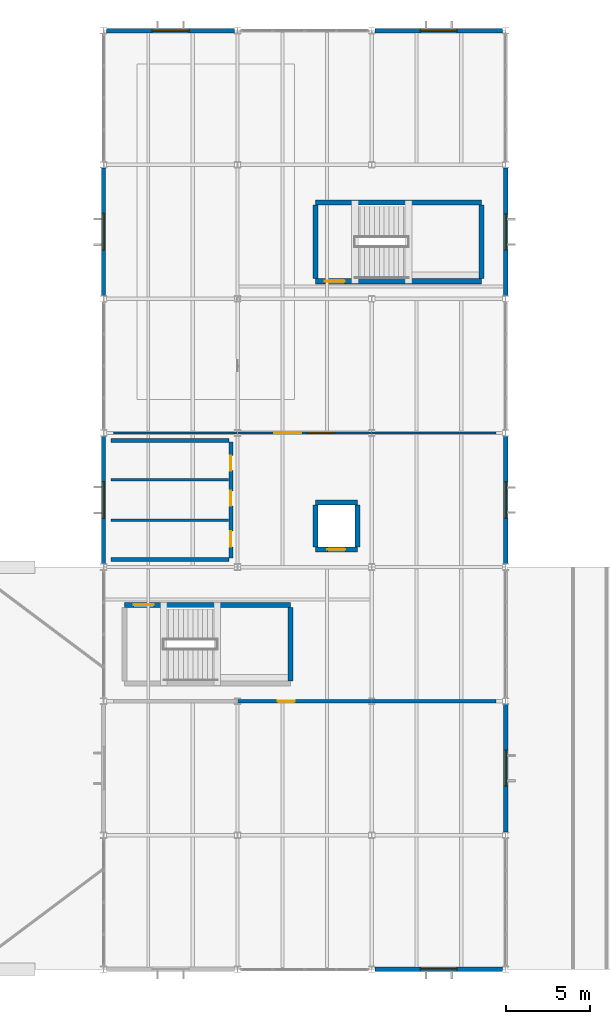
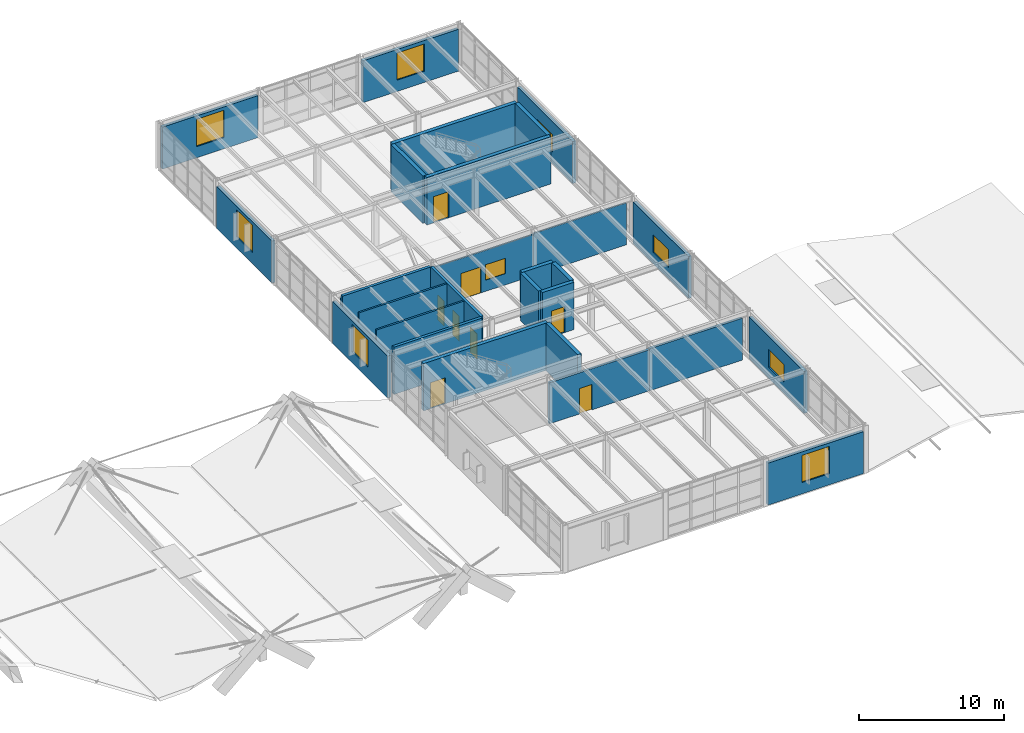
# One storey, part 45 of 50: 28 walls, 9 windows, 8 doors, 17 openings.
"""IFC4 building model written with IfcOpenShell, lengths in metres."""

from ifc_helpers import new_model, si_unit, direction, frame, frame_2d, origin, place, context, subcontext, project, spatial, rectangle, extrude, material, layer, layer_set, type_object, element, fill, save


model = new_model("IFC4")

# Units and contexts
model_context = context("Model", 3, precision=1e-05, world=origin(), true_north=direction((0.0, 1.0)))
body_context = subcontext(model_context, "Body", "Model", "MODEL_VIEW")
ifc_project = project(units=[si_unit("LENGTHUNIT", "METRE"), si_unit("AREAUNIT", "SQUARE_METRE"), si_unit("VOLUMEUNIT", "CUBIC_METRE"), si_unit("PLANEANGLEUNIT", "RADIAN"), si_unit("MASSUNIT", "GRAM", prefix="KILO")], contexts=[model_context])

# Site, building, storey
site_placement = place(None, origin())
site = spatial("IfcSite", under=ifc_project, at=site_placement, CompositionType="ELEMENT")
building_placement = place(site_placement, origin())
building = spatial("IfcBuilding", under=site, at=building_placement, Name="Varnela Railside Interchange", CompositionType="ELEMENT")
storey_placement = place(building_placement, frame((0.0, 0.0, 15.39990234375)))
storey = spatial("IfcBuildingStorey", under=building, at=storey_placement, Name="L03", CompositionType="ELEMENT", Elevation=15.39990234375)

# Walls
ifc_material_1 = material(Name="Gypsum acoustic board")
ifc_layer_1 = layer(ifc_material_1, 0.14990234375)
ifc_layer_set_1 = layer_set([ifc_layer_1], Name="Gypsum acoustic board")
wall_type_1 = type_object("IfcWallType", Name="Acoustic Drywall Partition IW-01", PredefinedType="PARTITIONING", material=ifc_layer_set_1)
for number, where, z_axis, x_axis, name in (
    (1, (116.449951171875, 64.800048828125, 0.0), (0.0, 0.0, 1.0), (1.0, 0.0, 0.0), "Acoustic Drywall Partition IW-01 (L03) (WL-0813)"),
    (2, (116.449951171875, 67.199951171875, 0.0), (0.0, 0.0, 1.0), (1.0, 0.0, 0.0), "Acoustic Drywall Partition IW-01 (L03) (WL-0814)"),
):
    element("IfcWall", number, at=place(storey_placement, frame(where, z_axis=z_axis, x_axis=x_axis)), inside=storey, type_object=wall_type_1, Name=name, PredefinedType="PARTITIONING", context=body_context, shape_type="SweptSolid", body=[
        extrude(rectangle(XDim=7.0, YDim=0.14990234375, at=frame_2d((3.5, 0.0))), origin(), (0.0, 0.0, 1.0), 4.0),
    ])

# Wall, opening, door
ifc_material_2 = material(Name="Concrete C40", Category="concrete")
ifc_layer_2 = layer(ifc_material_2, 0.199951171875)
ifc_layer_set_2 = layer_set([ifc_layer_2], Name="Concrete C40")
wall_type_2 = type_object("IfcWallType", Name="Fire Compartment Wall EI60 FW-01", PredefinedType="SOLIDWALL", material=ifc_layer_set_2)
wall_1_placement = place(storey_placement, frame((124.0, 54.0, 0.0), z_axis=(0.0, 0.0, 1.0), x_axis=(1.0, 0.0, 0.0)))
wall_1 = element("IfcWall", 3, at=wall_1_placement, inside=storey, type_object=wall_type_2, Name="Fire Compartment Wall EI60 FW-01 (L03) (WL-0810)", PredefinedType="SOLIDWALL", context=body_context, shape_type="SweptSolid", body=[
    extrude(rectangle(XDim=8.0, YDim=0.199951171875, at=frame_2d((4.0, 0.0))), origin(), (0.0, 0.0, 1.0), 3.467041015625),
])
opening_1_placement = place(wall_1_placement, frame((2.39990234375, 0.0, 0.0)))
opening_1 = element("IfcOpeningElement", 4, at=opening_1_placement, cuts=wall_1, Name="Opening D-253", PredefinedType="OPENING", context=body_context, shape_type="SweptSolid", body=[
    extrude(rectangle(XDim=1.0, YDim=2.14990234375, at=frame_2d((0.5, 1.074951171875))), frame((0.0, 0.10986328125, 0.0), z_axis=(0.0, -1.0, 0.0), x_axis=(1.0, 0.0, 0.0)), (0.0, 0.0, 1.0), 0.219970703125),
])
ifc_material_3 = material(Name="Steel AR 350 (350 MPa)", Category="steel")
door_type_1 = type_object("IfcDoorType", Name="DR-SGL-1000-FD60", OperationType="NOTDEFINED", PredefinedType="DOOR", material=ifc_material_3)
door_1_placement = place(opening_1_placement, origin())
door_1 = element("IfcDoor", 5, at=door_1_placement, inside=storey, type_object=door_type_1, Name="Door D-253", OperationType="SINGLE_SWING_RIGHT", OverallHeight=2.14990234375, OverallWidth=1.0, PredefinedType="DOOR", context=body_context, shape_type="SweptSolid", body=[
    extrude(rectangle(XDim=1.0, YDim=2.14990234375, at=frame_2d((0.5, 1.074951171875))), frame((0.0, 0.02490234375, 0.0), z_axis=(0.0, -1.0, 0.0), x_axis=(1.0, 0.0, 0.0)), (0.0, 0.0, 1.0), 0.050048828125),
])
fill(opening_1, door_1)

# Walls
wall_2_placement = place(storey_placement, frame((132.0, 54.0, 0.0), z_axis=(0.0, 0.0, 1.0), x_axis=(1.0, 0.0, 0.0)))
element("IfcWall", 6, at=wall_2_placement, inside=storey, type_object=wall_type_2, Name="Fire Compartment Wall EI60 FW-01 (L03) (WL-0811)", PredefinedType="SOLIDWALL", context=body_context, shape_type="SweptSolid", body=[
    extrude(rectangle(XDim=7.39990234375, YDim=0.199951171875, at=frame_2d((3.699951171875, 0.0))), origin(), (0.0, 0.0, 1.0), 3.5400390625),
])
ifc_material_4 = material(Name="Glass laminated double", Category="glass")
ifc_layer_3 = layer(ifc_material_4, 0.1201171875)
ifc_layer_set_3 = layer_set([ifc_layer_3], Name="Glass laminated double")
wall_type_3 = type_object("IfcWallType", Name="Glazed Operations Partition IW-03", PredefinedType="PARTITIONING", material=ifc_layer_set_3)
wall_3_placement = place(storey_placement, frame((116.60009765625, 70.0, 0.0), z_axis=(0.0, 0.0, 1.0), x_axis=(1.0, 0.0, 0.0)))
element("IfcWall", 7, at=wall_3_placement, inside=storey, type_object=wall_type_3, Name="Glazed Operations Partition IW-03 (L03) (WL-0818)", PredefinedType="PARTITIONING", context=body_context, shape_type="SweptSolid", body=[
    extrude(rectangle(XDim=7.39990234375, YDim=0.1201171875, at=frame_2d((3.699951171875, 0.0))), origin(), (0.0, 0.0, 1.0), 3.5400390625),
])

# Wall, openings, door, window
wall_4_placement = place(storey_placement, frame((124.0, 70.0, 0.0), z_axis=(0.0, 0.0, 1.0), x_axis=(1.0, 0.0, 0.0)))
wall_4 = element("IfcWall", 8, at=wall_4_placement, inside=storey, type_object=wall_type_3, Name="Glazed Operations Partition IW-03 (L03) (WL-0819)", PredefinedType="PARTITIONING", context=body_context, shape_type="SweptSolid", body=[
    extrude(rectangle(XDim=8.0, YDim=0.1201171875, at=frame_2d((4.0, 0.0))), origin(), (0.0, 0.0, 1.0), 3.467041015625),
])
opening_2_placement = place(wall_4_placement, frame((2.199951171875, 0.0, 0.0)))
opening_2 = element("IfcOpeningElement", 9, at=opening_2_placement, cuts=wall_4, Name="Opening D-252", PredefinedType="OPENING", context=body_context, shape_type="SweptSolid", body=[
    extrude(rectangle(XDim=1.60009765625, YDim=2.199951171875, at=frame_2d((0.800048828125, 1.10009765625))), frame((0.0, 0.070068359375, 0.0), z_axis=(0.0, -1.0, 0.0), x_axis=(1.0, 0.0, 0.0)), (0.0, 0.0, 1.0), 0.14013671875),
])
opening_3_placement = place(wall_4_placement, frame((4.14990234375, 0.0, 0.949951171875)))
opening_3 = element("IfcOpeningElement", 10, at=opening_3_placement, cuts=wall_4, Name="Opening IW-015", PredefinedType="OPENING", context=body_context, shape_type="SweptSolid", body=[
    extrude(rectangle(XDim=1.60009765625, YDim=1.300048828125, at=frame_2d((0.800048828125, 0.64990234375))), frame((0.0, 0.070068359375, 0.0), z_axis=(0.0, -1.0, 0.0), x_axis=(1.0, 0.0, 0.0)), (0.0, 0.0, 1.0), 0.14013671875),
])
door_type_2 = type_object("IfcDoorType", Name="DR-DBL-1600", OperationType="DOUBLE_DOOR_SINGLE_SWING", PredefinedType="DOOR", material=ifc_material_4)
door_2_placement = place(opening_2_placement, origin())
door_2 = element("IfcDoor", 11, at=door_2_placement, inside=storey, type_object=door_type_2, Name="Door D-252", OperationType="DOUBLE_DOOR_SINGLE_SWING", OverallHeight=2.199951171875, OverallWidth=1.60009765625, PredefinedType="DOOR", context=body_context, shape_type="SweptSolid", body=[
    extrude(rectangle(XDim=1.60009765625, YDim=2.199951171875, at=frame_2d((0.800048828125, 1.10009765625))), frame((0.0, 0.02490234375, 0.0), z_axis=(0.0, -1.0, 0.0), x_axis=(1.0, 0.0, 0.0)), (0.0, 0.0, 1.0), 0.050048828125),
])
fill(opening_2, door_2)
window_type_1 = type_object("IfcWindowType", Name="Interior Acoustic Vision Window IW-WN1", PartitioningType="SINGLE_PANEL", PredefinedType="WINDOW", material=ifc_material_4)
window_1_placement = place(opening_3_placement, origin())
window_1 = element("IfcWindow", 12, at=window_1_placement, inside=storey, type_object=window_type_1, Name="Window IW-015", OverallHeight=1.300048828125, OverallWidth=1.60009765625, PartitioningType="SINGLE_PANEL", PredefinedType="WINDOW", context=body_context, shape_type="SweptSolid", body=[
    extrude(rectangle(XDim=1.60009765625, YDim=1.300048828125, at=frame_2d((0.800048828125, 0.64990234375))), frame((0.0, 0.030029296875, 0.0), z_axis=(0.0, -1.0, 0.0), x_axis=(1.0, 0.0, 0.0)), (0.0, 0.0, 1.0), 0.06005859375),
])
fill(opening_3, window_1)

# Wall
wall_5_placement = place(storey_placement, frame((132.0, 70.0, 0.0), z_axis=(0.0, 0.0, 1.0), x_axis=(1.0, 0.0, 0.0)))
element("IfcWall", 13, at=wall_5_placement, inside=storey, type_object=wall_type_3, Name="Glazed Operations Partition IW-03 (L03) (WL-0820)", PredefinedType="PARTITIONING", context=body_context, shape_type="SweptSolid", body=[
    extrude(rectangle(XDim=7.39990234375, YDim=0.1201171875, at=frame_2d((3.699951171875, 0.0))), origin(), (0.0, 0.0, 1.0), 3.5400390625),
])

# Wall, openings, doors
ifc_material_5 = material(Name="Masonry concrete block", Category="masonry")
ifc_layer_4 = layer(ifc_material_5, 0.2099609375)
ifc_layer_set_4 = layer_set([ifc_layer_4], Name="Masonry concrete block")
wall_type_4 = type_object("IfcWallType", Name="Sanitary Plumbing Chase Wall IW-04", PredefinedType="PLUMBINGWALL", material=ifc_layer_set_4)
wall_6_placement = place(storey_placement, frame((123.60009765625, 62.550048828125, 0.0), z_axis=(0.0, 0.0, 1.0), x_axis=(0.0, 1.0, 0.0)))
wall_6 = element("IfcWall", 14, at=wall_6_placement, inside=storey, type_object=wall_type_4, Name="Sanitary Plumbing Chase Wall IW-04 (L03) (WL-0815)", PredefinedType="PLUMBINGWALL", context=body_context, shape_type="SweptSolid", body=[
    extrude(rectangle(XDim=6.89990234375, YDim=0.219970703125, at=frame_2d((3.449951171875, 0.0))), origin(), (0.0, 0.0, 1.0), 4.0),
])
opening_4_placement = place(wall_6_placement, frame((0.64990234375, 0.0, 0.0)))
opening_4 = element("IfcOpeningElement", 15, at=opening_4_placement, cuts=wall_6, Name="Opening D-249", PredefinedType="OPENING", context=body_context, shape_type="SweptSolid", body=[
    extrude(rectangle(XDim=0.949951171875, YDim=2.10009765625, at=frame_2d((0.47509765625, 1.050048828125))), frame((0.0, 0.119873046875, 0.0), z_axis=(0.0, -1.0, 0.0), x_axis=(1.0, 0.0, 0.0)), (0.0, 0.0, 1.0), 0.239990234375),
])
opening_5_placement = place(wall_6_placement, frame((3.10009765625, 0.0, 0.0)))
opening_5 = element("IfcOpeningElement", 16, at=opening_5_placement, cuts=wall_6, Name="Opening D-250", PredefinedType="OPENING", context=body_context, shape_type="SweptSolid", body=[
    extrude(rectangle(XDim=0.89990234375, YDim=2.10009765625, at=frame_2d((0.449951171875, 1.050048828125))), frame((0.0, 0.119873046875, 0.0), z_axis=(0.0, -1.0, 0.0), x_axis=(1.0, 0.0, 0.0)), (0.0, 0.0, 1.0), 0.239990234375),
])
opening_6_placement = place(wall_6_placement, frame((5.199951171875, 0.0, 0.0)))
opening_6 = element("IfcOpeningElement", 17, at=opening_6_placement, cuts=wall_6, Name="Opening D-251", PredefinedType="OPENING", context=body_context, shape_type="SweptSolid", body=[
    extrude(rectangle(XDim=0.89990234375, YDim=2.10009765625, at=frame_2d((0.449951171875, 1.050048828125))), frame((0.0, 0.119873046875, 0.0), z_axis=(0.0, -1.0, 0.0), x_axis=(1.0, 0.0, 0.0)), (0.0, 0.0, 1.0), 0.239990234375),
])
ifc_material_6 = material(Name="Timber solid core", Category="wood")
door_type_3 = type_object("IfcDoorType", Name="DR-SGL-900", OperationType="NOTDEFINED", PredefinedType="DOOR", material=ifc_material_6)
door_3_placement = place(opening_5_placement, origin())
door_3 = element("IfcDoor", 18, at=door_3_placement, inside=storey, type_object=door_type_3, Name="Door D-250", OperationType="SINGLE_SWING_RIGHT", OverallHeight=2.10009765625, OverallWidth=0.89990234375, PredefinedType="DOOR", context=body_context, shape_type="SweptSolid", body=[
    extrude(rectangle(XDim=0.89990234375, YDim=2.10009765625, at=frame_2d((0.449951171875, 1.050048828125))), frame((0.0, 0.02490234375, 0.0), z_axis=(0.0, -1.0, 0.0), x_axis=(1.0, 0.0, 0.0)), (0.0, 0.0, 1.0), 0.050048828125),
])
fill(opening_5, door_3)
door_4_placement = place(opening_6_placement, origin())
door_4 = element("IfcDoor", 19, at=door_4_placement, inside=storey, type_object=door_type_3, Name="Door D-251", OperationType="SINGLE_SWING_LEFT", OverallHeight=2.10009765625, OverallWidth=0.89990234375, PredefinedType="DOOR", context=body_context, shape_type="SweptSolid", body=[
    extrude(rectangle(XDim=0.89990234375, YDim=2.10009765625, at=frame_2d((0.449951171875, 1.050048828125))), frame((0.0, 0.02490234375, 0.0), z_axis=(0.0, -1.0, 0.0), x_axis=(1.0, 0.0, 0.0)), (0.0, 0.0, 1.0), 0.050048828125),
])
fill(opening_6, door_4)
door_type_4 = type_object("IfcDoorType", Name="DR-SGL-950-ACC", OperationType="NOTDEFINED", PredefinedType="DOOR", material=ifc_material_6)
door_5_placement = place(opening_4_placement, origin())
door_5 = element("IfcDoor", 20, at=door_5_placement, inside=storey, type_object=door_type_4, Name="Door D-249", OperationType="SINGLE_SWING_LEFT", OverallHeight=2.10009765625, OverallWidth=0.949951171875, PredefinedType="DOOR", context=body_context, shape_type="SweptSolid", body=[
    extrude(rectangle(XDim=0.949951171875, YDim=2.10009765625, at=frame_2d((0.47509765625, 1.050048828125))), frame((0.0, 0.02490234375, 0.0), z_axis=(0.0, -1.0, 0.0), x_axis=(1.0, 0.0, 0.0)), (0.0, 0.0, 1.0), 0.050048828125),
])
fill(opening_4, door_5)

# Walls
for number, where, z_axis, x_axis, name in (
    (21, (116.449951171875, 69.550048828125, 0.0), (0.0, 0.0, 1.0), (1.0, 0.0, 0.0), "Sanitary Plumbing Chase Wall IW-04 (L03) (WL-0816)"),
    (22, (116.449951171875, 62.449951171875, 0.0), (0.0, 0.0, 1.0), (1.0, 0.0, 0.0), "Sanitary Plumbing Chase Wall IW-04 (L03) (WL-0817)"),
):
    element("IfcWall", number, at=place(storey_placement, frame(where, z_axis=z_axis, x_axis=x_axis)), inside=storey, type_object=wall_type_4, Name=name, PredefinedType="PLUMBINGWALL", context=body_context, shape_type="SweptSolid", body=[
        extrude(rectangle(XDim=7.050048828125, YDim=0.219970703125, at=frame_2d((3.52490234375, 0.0))), origin(), (0.0, 0.0, 1.0), 4.0),
    ])

# Wall, opening, door
ifc_material_7 = material(Name="Concrete C50", Category="concrete")
ifc_layer_5 = layer(ifc_material_7, 0.300048828125)
ifc_layer_set_5 = layer_set([ifc_layer_5], Name="Concrete C50")
wall_type_5 = type_object("IfcWallType", Name="Stair & Lift Shaft Wall SW-03", PredefinedType="SHEAR", material=ifc_layer_set_5)
wall_7_placement = place(storey_placement, frame((117.25, 59.75, 0.0), z_axis=(0.0, 0.0, 1.0), x_axis=(1.0, 0.0, 0.0)))
wall_7 = element("IfcWall", 23, at=wall_7_placement, inside=storey, type_object=wall_type_5, Name="Stair & Lift Shaft Wall SW-03 (L03) (WL-0835)", PredefinedType="SHEAR", context=body_context, shape_type="SweptSolid", body=[
    extrude(rectangle(XDim=9.89990234375, YDim=0.300048828125, at=frame_2d((4.949951171875, 0.0))), origin(), (0.0, 0.0, 1.0), 4.0),
])
opening_7_placement = place(wall_7_placement, frame((0.550048828125, 0.0, 0.0)))
opening_7 = element("IfcOpeningElement", 24, at=opening_7_placement, cuts=wall_7, Name="Opening D-243", PredefinedType="OPENING", context=body_context, shape_type="SweptSolid", body=[
    extrude(rectangle(XDim=1.199951171875, YDim=2.199951171875, at=frame_2d((0.60009765625, 1.10009765625))), frame((0.0, 0.159912109375, 0.0), z_axis=(0.0, -1.0, 0.0), x_axis=(1.0, 0.0, 0.0)), (0.0, 0.0, 1.0), 0.320068359375),
])
door_type_5 = type_object("IfcDoorType", Name="DR-SGL-1200-FD90", OperationType="NOTDEFINED", PredefinedType="DOOR", material=ifc_material_3)
door_6_placement = place(opening_7_placement, frame((1.199951171875, 0.0, 0.0), z_axis=(0.0, 0.0, 1.0), x_axis=(-1.0, 0.0, 0.0)))
door_6 = element("IfcDoor", 25, at=door_6_placement, inside=storey, type_object=door_type_5, Name="Door D-243", OperationType="SINGLE_SWING_LEFT", OverallHeight=2.199951171875, OverallWidth=1.199951171875, PredefinedType="DOOR", context=body_context, shape_type="SweptSolid", body=[
    extrude(rectangle(XDim=1.199951171875, YDim=2.199951171875, at=frame_2d((0.60009765625, 1.10009765625))), frame((0.0, 0.02490234375, 0.0), z_axis=(0.0, -1.0, 0.0), x_axis=(1.0, 0.0, 0.0)), (0.0, 0.0, 1.0), 0.050048828125),
])
fill(opening_7, door_6)

# Walls
wall_8_placement = place(storey_placement, frame((127.14990234375, 55.199951171875, 0.0), z_axis=(0.0, 0.0, 1.0), x_axis=(0.0, 1.0, 0.0)))
element("IfcWall", 26, at=wall_8_placement, inside=storey, type_object=wall_type_5, Name="Stair & Lift Shaft Wall SW-03 (L03) (WL-0834)", PredefinedType="SHEAR", context=body_context, shape_type="SweptSolid", body=[
    extrude(rectangle(XDim=4.400146484375, YDim=0.300048828125, at=frame_2d((2.2001953125, 0.0))), origin(), (0.0, 0.0, 1.0), 4.0),
])
wall_9_placement = place(storey_placement, frame((128.64990234375, 83.75, 0.0), z_axis=(0.0, 0.0, 1.0), x_axis=(1.0, 0.0, 0.0)))
element("IfcWall", 27, at=wall_9_placement, inside=storey, type_object=wall_type_5, Name="Stair & Lift Shaft Wall SW-03 (L03) (WL-0839)", PredefinedType="SHEAR", context=body_context, shape_type="SweptSolid", body=[
    extrude(rectangle(XDim=9.900146484375, YDim=0.300048828125, at=frame_2d((4.9501953125, 0.0))), origin(), (0.0, 0.0, 1.0), 4.0),
])

# Wall, opening, door
wall_10_placement = place(storey_placement, frame((128.64990234375, 79.050048828125, 0.0), z_axis=(0.0, 0.0, 1.0), x_axis=(1.0, 0.0, 0.0)))
wall_10 = element("IfcWall", 28, at=wall_10_placement, inside=storey, type_object=wall_type_5, Name="Stair & Lift Shaft Wall SW-03 (L03) (WL-0840)", PredefinedType="SHEAR", context=body_context, shape_type="SweptSolid", body=[
    extrude(rectangle(XDim=9.900146484375, YDim=0.300048828125, at=frame_2d((4.9501953125, 0.0))), origin(), (0.0, 0.0, 1.0), 4.0),
])
opening_8_placement = place(wall_10_placement, frame((0.550048828125, 0.0, 0.0)))
opening_8 = element("IfcOpeningElement", 29, at=opening_8_placement, cuts=wall_10, Name="Opening D-244", PredefinedType="OPENING", context=body_context, shape_type="SweptSolid", body=[
    extrude(rectangle(XDim=1.199951171875, YDim=2.199951171875, at=frame_2d((0.60009765625, 1.10009765625))), frame((0.0, 0.159912109375, 0.0), z_axis=(0.0, -1.0, 0.0), x_axis=(1.0, 0.0, 0.0)), (0.0, 0.0, 1.0), 0.320068359375),
])
door_7_placement = place(opening_8_placement, origin())
door_7 = element("IfcDoor", 30, at=door_7_placement, inside=storey, type_object=door_type_5, Name="Door D-244", OperationType="SINGLE_SWING_RIGHT", OverallHeight=2.199951171875, OverallWidth=1.199951171875, PredefinedType="DOOR", context=body_context, shape_type="SweptSolid", body=[
    extrude(rectangle(XDim=1.199951171875, YDim=2.199951171875, at=frame_2d((0.60009765625, 1.10009765625))), frame((0.0, 0.02490234375, 0.0), z_axis=(0.0, -1.0, 0.0), x_axis=(1.0, 0.0, 0.0)), (0.0, 0.0, 1.0), 0.050048828125),
])
fill(opening_8, door_7)

# Walls
for number, where, z_axis, x_axis, name in (
    (31, (128.64990234375, 79.199951171875, 0.0), (0.0, 0.0, 1.0), (0.0, 1.0, 0.0), "Stair & Lift Shaft Wall SW-03 (L03) (WL-0841)"),
    (32, (138.550048828125, 79.199951171875, 0.0), (0.0, 0.0, 1.0), (0.0, 1.0, 0.0), "Stair & Lift Shaft Wall SW-03 (L03) (WL-0838)"),
):
    element("IfcWall", number, at=place(storey_placement, frame(where, z_axis=z_axis, x_axis=x_axis)), inside=storey, type_object=wall_type_5, Name=name, PredefinedType="SHEAR", context=body_context, shape_type="SweptSolid", body=[
        extrude(rectangle(XDim=4.400146484375, YDim=0.300048828125, at=frame_2d((2.2001953125, 0.0))), origin(), (0.0, 0.0, 1.0), 4.0),
    ])
wall_11_placement = place(storey_placement, frame((128.64990234375, 65.85009765625, 0.0), z_axis=(0.0, 0.0, 1.0), x_axis=(1.0, 0.0, 0.0)))
element("IfcWall", 33, at=wall_11_placement, inside=storey, type_object=wall_type_5, Name="Stair & Lift Shaft Wall SW-03 (L03) (WL-0831)", PredefinedType="SHEAR", context=body_context, shape_type="SweptSolid", body=[
    extrude(rectangle(XDim=2.5, YDim=0.300048828125, at=frame_2d((1.25, 0.0))), origin(), (0.0, 0.0, 1.0), 4.0),
])

# Wall, opening, door
wall_12_placement = place(storey_placement, frame((128.64990234375, 63.050048828125, 0.0), z_axis=(0.0, 0.0, 1.0), x_axis=(1.0, 0.0, 0.0)))
wall_12 = element("IfcWall", 34, at=wall_12_placement, inside=storey, type_object=wall_type_5, Name="Stair & Lift Shaft Wall SW-03 (L03) (WL-0832)", PredefinedType="SHEAR", context=body_context, shape_type="SweptSolid", body=[
    extrude(rectangle(XDim=2.5, YDim=0.300048828125, at=frame_2d((1.25, 0.0))), origin(), (0.0, 0.0, 1.0), 4.0),
])
opening_9_placement = place(wall_12_placement, frame((0.699951171875, 0.0, 0.0)))
opening_9 = element("IfcOpeningElement", 35, at=opening_9_placement, cuts=wall_12, Name="Opening LD-064", PredefinedType="OPENING", context=body_context, shape_type="SweptSolid", body=[
    extrude(rectangle(XDim=1.080078125, YDim=2.199951171875, at=frame_2d((0.5400390625, 1.10009765625))), frame((0.0, 0.159912109375, 0.0), z_axis=(0.0, -1.0, 0.0), x_axis=(1.0, 0.0, 0.0)), (0.0, 0.0, 1.0), 0.320068359375),
])
door_type_6 = type_object("IfcDoorType", Name="DR-LIFT-1080", OperationType="SLIDING_TO_LEFT", PredefinedType="DOOR", material=ifc_material_3)
door_8_placement = place(opening_9_placement, origin())
door_8 = element("IfcDoor", 36, at=door_8_placement, inside=storey, type_object=door_type_6, Name="Door LD-064", OperationType="SLIDING_TO_LEFT", OverallHeight=2.199951171875, OverallWidth=1.080078125, PredefinedType="DOOR", context=body_context, shape_type="SweptSolid", body=[
    extrude(rectangle(XDim=1.080078125, YDim=2.199951171875, at=frame_2d((0.5400390625, 1.10009765625))), frame((0.0, 0.02490234375, 0.0), z_axis=(0.0, -1.0, 0.0), x_axis=(1.0, 0.0, 0.0)), (0.0, 0.0, 1.0), 0.050048828125),
])
fill(opening_9, door_8)

# Walls
for number, where, z_axis, x_axis, name in (
    (37, (128.64990234375, 63.199951171875, 0.0), (0.0, 0.0, 1.0), (0.0, 1.0, 0.0), "Stair & Lift Shaft Wall SW-03 (L03) (WL-0833)"),
    (38, (131.14990234375, 63.199951171875, 0.0), (0.0, 0.0, 1.0), (0.0, 1.0, 0.0), "Stair & Lift Shaft Wall SW-03 (L03) (WL-0830)"),
):
    element("IfcWall", number, at=place(storey_placement, frame(where, z_axis=z_axis, x_axis=x_axis)), inside=storey, type_object=wall_type_5, Name=name, PredefinedType="SHEAR", context=body_context, shape_type="SweptSolid", body=[
        extrude(rectangle(XDim=2.5, YDim=0.300048828125, at=frame_2d((1.25, 0.0))), origin(), (0.0, 0.0, 1.0), 4.0),
    ])

# Wall, opening, window
ifc_material_8 = material(Name="Concrete C40 precast", Category="concrete")
ifc_layer_6 = layer(ifc_material_8, 0.260009765625)
ifc_layer_set_6 = layer_set([ifc_layer_6], Name="Concrete C40 precast")
wall_type_6 = type_object("IfcWallType", Name="Terracotta Precast Study Facade Wall EW-03", PredefinedType="STANDARD", material=ifc_layer_set_6)
wall_13_placement = place(storey_placement, frame((139.8134765625, 38.0, 0.0), z_axis=(0.0, 0.0, 1.0), x_axis=(-1.0, 0.0, 0.0)))
wall_13 = element("IfcWall", 39, at=wall_13_placement, inside=storey, type_object=wall_type_6, Name="Terracotta Precast Study Facade Wall EW-03 (L03) (WL-0796)", PredefinedType="STANDARD", context=body_context, shape_type="SweptSolid", body=[
    extrude(rectangle(XDim=7.626953125, YDim=0.260009765625, at=frame_2d((3.8134765625, 0.0))), origin(), (0.0, 0.0, 1.0), 3.5400390625),
])
opening_10_placement = place(wall_13_placement, frame((2.71337890625, 0.0, 0.949951171875)))
opening_10 = element("IfcOpeningElement", 40, at=opening_10_placement, cuts=wall_13, Name="Opening W-108", PredefinedType="OPENING", context=body_context, shape_type="SweptSolid", body=[
    extrude(rectangle(XDim=2.199951171875, YDim=2.300048828125, at=frame_2d((1.10009765625, 1.14990234375))), frame((0.0, 0.139892578125, 0.0), z_axis=(0.0, -1.0, 0.0), x_axis=(1.0, 0.0, 0.0)), (0.0, 0.0, 1.0), 0.280029296875),
])
window_type_2 = type_object("IfcWindowType", Name="Library Reading Bay Window WN-09", PartitioningType="SINGLE_PANEL", PredefinedType="WINDOW", material=ifc_material_4)
window_2_placement = place(opening_10_placement, origin())
window_2 = element("IfcWindow", 41, at=window_2_placement, inside=storey, type_object=window_type_2, Name="Window W-108", OverallHeight=2.300048828125, OverallWidth=2.199951171875, PartitioningType="SINGLE_PANEL", PredefinedType="WINDOW", context=body_context, shape_type="SweptSolid", body=[
    extrude(rectangle(XDim=2.199951171875, YDim=2.300048828125, at=frame_2d((1.10009765625, 1.14990234375))), frame((0.0, 0.030029296875, 0.0), z_axis=(0.0, -1.0, 0.0), x_axis=(1.0, 0.0, 0.0)), (0.0, 0.0, 1.0), 0.06005859375),
])
fill(opening_10, window_2)

wall_14_placement = place(storey_placement, frame((116.0, 62.18408203125, 0.0), z_axis=(0.0, 0.0, 1.0), x_axis=(0.0, 1.0, 0.0)))
wall_14 = element("IfcWall", 42, at=wall_14_placement, inside=storey, type_object=wall_type_6, Name="Terracotta Precast Study Facade Wall EW-03 (L03) (WL-0800)", PredefinedType="STANDARD", context=body_context, shape_type="SweptSolid", body=[
    extrude(rectangle(XDim=7.6318359375, YDim=0.260009765625, at=frame_2d((3.81591796875, 0.0))), origin(), (0.0, 0.0, 1.0), 3.5400390625),
])
opening_11_placement = place(wall_14_placement, frame((2.716064453125, 0.0, 0.949951171875)))
opening_11 = element("IfcOpeningElement", 43, at=opening_11_placement, cuts=wall_14, Name="Opening W-111", PredefinedType="OPENING", context=body_context, shape_type="SweptSolid", body=[
    extrude(rectangle(XDim=2.199951171875, YDim=2.300048828125, at=frame_2d((1.10009765625, 1.14990234375))), frame((0.0, 0.139892578125, 0.0), z_axis=(0.0, -1.0, 0.0), x_axis=(1.0, 0.0, 0.0)), (0.0, 0.0, 1.0), 0.280029296875),
])
window_3_placement = place(opening_11_placement, origin())
window_3 = element("IfcWindow", 44, at=window_3_placement, inside=storey, type_object=window_type_2, Name="Window W-111", OverallHeight=2.300048828125, OverallWidth=2.199951171875, PartitioningType="SINGLE_PANEL", PredefinedType="WINDOW", context=body_context, shape_type="SweptSolid", body=[
    extrude(rectangle(XDim=2.199951171875, YDim=2.300048828125, at=frame_2d((1.10009765625, 1.14990234375))), frame((0.0, 0.030029296875, 0.0), z_axis=(0.0, -1.0, 0.0), x_axis=(1.0, 0.0, 0.0)), (0.0, 0.0, 1.0), 0.06005859375),
])
fill(opening_11, window_3)

wall_15_placement = place(storey_placement, frame((116.0, 78.18408203125, 0.0), z_axis=(0.0, 0.0, 1.0), x_axis=(0.0, 1.0, 0.0)))
wall_15 = element("IfcWall", 45, at=wall_15_placement, inside=storey, type_object=wall_type_6, Name="Terracotta Precast Study Facade Wall EW-03 (L03) (WL-0801)", PredefinedType="STANDARD", context=body_context, shape_type="SweptSolid", body=[
    extrude(rectangle(XDim=7.6318359375, YDim=0.260009765625, at=frame_2d((3.81591796875, 0.0))), origin(), (0.0, 0.0, 1.0), 3.5400390625),
])
opening_12_placement = place(wall_15_placement, frame((2.716064453125, 0.0, 0.949951171875)))
opening_12 = element("IfcOpeningElement", 46, at=opening_12_placement, cuts=wall_15, Name="Opening W-112", PredefinedType="OPENING", context=body_context, shape_type="SweptSolid", body=[
    extrude(rectangle(XDim=2.199951171875, YDim=2.300048828125, at=frame_2d((1.10009765625, 1.14990234375))), frame((0.0, 0.139892578125, 0.0), z_axis=(0.0, -1.0, 0.0), x_axis=(1.0, 0.0, 0.0)), (0.0, 0.0, 1.0), 0.280029296875),
])
window_4_placement = place(opening_12_placement, origin())
window_4 = element("IfcWindow", 47, at=window_4_placement, inside=storey, type_object=window_type_2, Name="Window W-112", OverallHeight=2.300048828125, OverallWidth=2.199951171875, PartitioningType="SINGLE_PANEL", PredefinedType="WINDOW", context=body_context, shape_type="SweptSolid", body=[
    extrude(rectangle(XDim=2.199951171875, YDim=2.300048828125, at=frame_2d((1.10009765625, 1.14990234375))), frame((0.0, 0.030029296875, 0.0), z_axis=(0.0, -1.0, 0.0), x_axis=(1.0, 0.0, 0.0)), (0.0, 0.0, 1.0), 0.06005859375),
])
fill(opening_12, window_4)

wall_16_placement = place(storey_placement, frame((116.1865234375, 94.0, 0.0), z_axis=(0.0, 0.0, 1.0), x_axis=(1.0, 0.0, 0.0)))
wall_16 = element("IfcWall", 48, at=wall_16_placement, inside=storey, type_object=wall_type_6, Name="Terracotta Precast Study Facade Wall EW-03 (L03) (WL-0802)", PredefinedType="STANDARD", context=body_context, shape_type="SweptSolid", body=[
    extrude(rectangle(XDim=7.626953125, YDim=0.260009765625, at=frame_2d((3.8134765625, 0.0))), origin(), (0.0, 0.0, 1.0), 3.5400390625),
])
opening_13_placement = place(wall_16_placement, frame((2.71337890625, 0.0, 0.949951171875)))
opening_13 = element("IfcOpeningElement", 49, at=opening_13_placement, cuts=wall_16, Name="Opening W-113", PredefinedType="OPENING", context=body_context, shape_type="SweptSolid", body=[
    extrude(rectangle(XDim=2.199951171875, YDim=2.300048828125, at=frame_2d((1.10009765625, 1.14990234375))), frame((0.0, 0.139892578125, 0.0), z_axis=(0.0, -1.0, 0.0), x_axis=(1.0, 0.0, 0.0)), (0.0, 0.0, 1.0), 0.280029296875),
])
window_5_placement = place(opening_13_placement, origin())
window_5 = element("IfcWindow", 50, at=window_5_placement, inside=storey, type_object=window_type_2, Name="Window W-113", OverallHeight=2.300048828125, OverallWidth=2.199951171875, PartitioningType="SINGLE_PANEL", PredefinedType="WINDOW", context=body_context, shape_type="SweptSolid", body=[
    extrude(rectangle(XDim=2.199951171875, YDim=2.300048828125, at=frame_2d((1.10009765625, 1.14990234375))), frame((0.0, 0.030029296875, 0.0), z_axis=(0.0, -1.0, 0.0), x_axis=(1.0, 0.0, 0.0)), (0.0, 0.0, 1.0), 0.06005859375),
])
fill(opening_13, window_5)

wall_17_placement = place(storey_placement, frame((132.1865234375, 94.0, 0.0), z_axis=(0.0, 0.0, 1.0), x_axis=(1.0, 0.0, 0.0)))
wall_17 = element("IfcWall", 51, at=wall_17_placement, inside=storey, type_object=wall_type_6, Name="Terracotta Precast Study Facade Wall EW-03 (L03) (WL-0803)", PredefinedType="STANDARD", context=body_context, shape_type="SweptSolid", body=[
    extrude(rectangle(XDim=7.626953125, YDim=0.260009765625, at=frame_2d((3.8134765625, 0.0))), origin(), (0.0, 0.0, 1.0), 3.5400390625),
])
opening_14_placement = place(wall_17_placement, frame((2.71337890625, 0.0, 0.949951171875)))
opening_14 = element("IfcOpeningElement", 52, at=opening_14_placement, cuts=wall_17, Name="Opening W-114", PredefinedType="OPENING", context=body_context, shape_type="SweptSolid", body=[
    extrude(rectangle(XDim=2.199951171875, YDim=2.300048828125, at=frame_2d((1.10009765625, 1.14990234375))), frame((0.0, 0.139892578125, 0.0), z_axis=(0.0, -1.0, 0.0), x_axis=(1.0, 0.0, 0.0)), (0.0, 0.0, 1.0), 0.280029296875),
])
window_6_placement = place(opening_14_placement, origin())
window_6 = element("IfcWindow", 53, at=window_6_placement, inside=storey, type_object=window_type_2, Name="Window W-114", OverallHeight=2.300048828125, OverallWidth=2.199951171875, PartitioningType="SINGLE_PANEL", PredefinedType="WINDOW", context=body_context, shape_type="SweptSolid", body=[
    extrude(rectangle(XDim=2.199951171875, YDim=2.300048828125, at=frame_2d((1.10009765625, 1.14990234375))), frame((0.0, 0.030029296875, 0.0), z_axis=(0.0, -1.0, 0.0), x_axis=(1.0, 0.0, 0.0)), (0.0, 0.0, 1.0), 0.06005859375),
])
fill(opening_14, window_6)

wall_18_placement = place(storey_placement, frame((140.0, 85.81591796875, 0.0), z_axis=(0.0, 0.0, 1.0), x_axis=(0.0, -1.0, 0.0)))
wall_18 = element("IfcWall", 54, at=wall_18_placement, inside=storey, type_object=wall_type_6, Name="Terracotta Precast Study Facade Wall EW-03 (L03) (WL-0804)", PredefinedType="STANDARD", context=body_context, shape_type="SweptSolid", body=[
    extrude(rectangle(XDim=7.6318359375, YDim=0.260009765625, at=frame_2d((3.81591796875, 0.0))), origin(), (0.0, 0.0, 1.0), 3.5400390625),
])
opening_15_placement = place(wall_18_placement, frame((2.740966796875, 0.0, 0.949951171875)))
opening_15 = element("IfcOpeningElement", 55, at=opening_15_placement, cuts=wall_18, Name="Opening W-115", PredefinedType="OPENING", context=body_context, shape_type="SweptSolid", body=[
    extrude(rectangle(XDim=2.14990234375, YDim=1.5, at=frame_2d((1.074951171875, 0.75))), frame((0.0, 0.139892578125, 0.0), z_axis=(0.0, -1.0, 0.0), x_axis=(1.0, 0.0, 0.0)), (0.0, 0.0, 1.0), 0.280029296875),
])
window_type_3 = type_object("IfcWindowType", Name="Cycle Workshop Louvre Win WN-22", PartitioningType="SINGLE_PANEL", PredefinedType="WINDOW", material=ifc_material_4)
window_7_placement = place(opening_15_placement, origin())
window_7 = element("IfcWindow", 56, at=window_7_placement, inside=storey, type_object=window_type_3, Name="Window W-115", OverallHeight=1.5, OverallWidth=2.14990234375, PartitioningType="SINGLE_PANEL", PredefinedType="WINDOW", context=body_context, shape_type="SweptSolid", body=[
    extrude(rectangle(XDim=2.14990234375, YDim=1.5, at=frame_2d((1.074951171875, 0.75))), frame((0.0, 0.030029296875, 0.0), z_axis=(0.0, -1.0, 0.0), x_axis=(1.0, 0.0, 0.0)), (0.0, 0.0, 1.0), 0.06005859375),
])
fill(opening_15, window_7)

wall_19_placement = place(storey_placement, frame((140.0, 69.81591796875, 0.0), z_axis=(0.0, 0.0, 1.0), x_axis=(0.0, -1.0, 0.0)))
wall_19 = element("IfcWall", 57, at=wall_19_placement, inside=storey, type_object=wall_type_6, Name="Terracotta Precast Study Facade Wall EW-03 (L03) (WL-0805)", PredefinedType="STANDARD", context=body_context, shape_type="SweptSolid", body=[
    extrude(rectangle(XDim=7.6318359375, YDim=0.260009765625, at=frame_2d((3.81591796875, 0.0))), origin(), (0.0, 0.0, 1.0), 3.5400390625),
])
opening_16_placement = place(wall_19_placement, frame((2.740966796875, 0.0, 0.949951171875)))
opening_16 = element("IfcOpeningElement", 58, at=opening_16_placement, cuts=wall_19, Name="Opening W-116", PredefinedType="OPENING", context=body_context, shape_type="SweptSolid", body=[
    extrude(rectangle(XDim=2.14990234375, YDim=1.5, at=frame_2d((1.074951171875, 0.75))), frame((0.0, 0.139892578125, 0.0), z_axis=(0.0, -1.0, 0.0), x_axis=(1.0, 0.0, 0.0)), (0.0, 0.0, 1.0), 0.280029296875),
])
window_8_placement = place(opening_16_placement, origin())
window_8 = element("IfcWindow", 59, at=window_8_placement, inside=storey, type_object=window_type_3, Name="Window W-116", OverallHeight=1.5, OverallWidth=2.14990234375, PartitioningType="SINGLE_PANEL", PredefinedType="WINDOW", context=body_context, shape_type="SweptSolid", body=[
    extrude(rectangle(XDim=2.14990234375, YDim=1.5, at=frame_2d((1.074951171875, 0.75))), frame((0.0, 0.030029296875, 0.0), z_axis=(0.0, -1.0, 0.0), x_axis=(1.0, 0.0, 0.0)), (0.0, 0.0, 1.0), 0.06005859375),
])
fill(opening_16, window_8)

wall_20_placement = place(storey_placement, frame((140.0, 53.81591796875, 0.0), z_axis=(0.0, 0.0, 1.0), x_axis=(0.0, -1.0, 0.0)))
wall_20 = element("IfcWall", 60, at=wall_20_placement, inside=storey, type_object=wall_type_6, Name="Terracotta Precast Study Facade Wall EW-03 (L03) (WL-0806)", PredefinedType="STANDARD", context=body_context, shape_type="SweptSolid", body=[
    extrude(rectangle(XDim=7.6318359375, YDim=0.260009765625, at=frame_2d((3.81591796875, 0.0))), origin(), (0.0, 0.0, 1.0), 3.5400390625),
])
opening_17_placement = place(wall_20_placement, frame((2.740966796875, 0.0, 0.949951171875)))
opening_17 = element("IfcOpeningElement", 61, at=opening_17_placement, cuts=wall_20, Name="Opening W-117", PredefinedType="OPENING", context=body_context, shape_type="SweptSolid", body=[
    extrude(rectangle(XDim=2.14990234375, YDim=1.5, at=frame_2d((1.074951171875, 0.75))), frame((0.0, 0.139892578125, 0.0), z_axis=(0.0, -1.0, 0.0), x_axis=(1.0, 0.0, 0.0)), (0.0, 0.0, 1.0), 0.280029296875),
])
window_9_placement = place(opening_17_placement, origin())
window_9 = element("IfcWindow", 62, at=window_9_placement, inside=storey, type_object=window_type_3, Name="Window W-117", OverallHeight=1.5, OverallWidth=2.14990234375, PartitioningType="SINGLE_PANEL", PredefinedType="WINDOW", context=body_context, shape_type="SweptSolid", body=[
    extrude(rectangle(XDim=2.14990234375, YDim=1.5, at=frame_2d((1.074951171875, 0.75))), frame((0.0, 0.030029296875, 0.0), z_axis=(0.0, -1.0, 0.0), x_axis=(1.0, 0.0, 0.0)), (0.0, 0.0, 1.0), 0.06005859375),
])
fill(opening_17, window_9)

save(model, "model.ifc")
